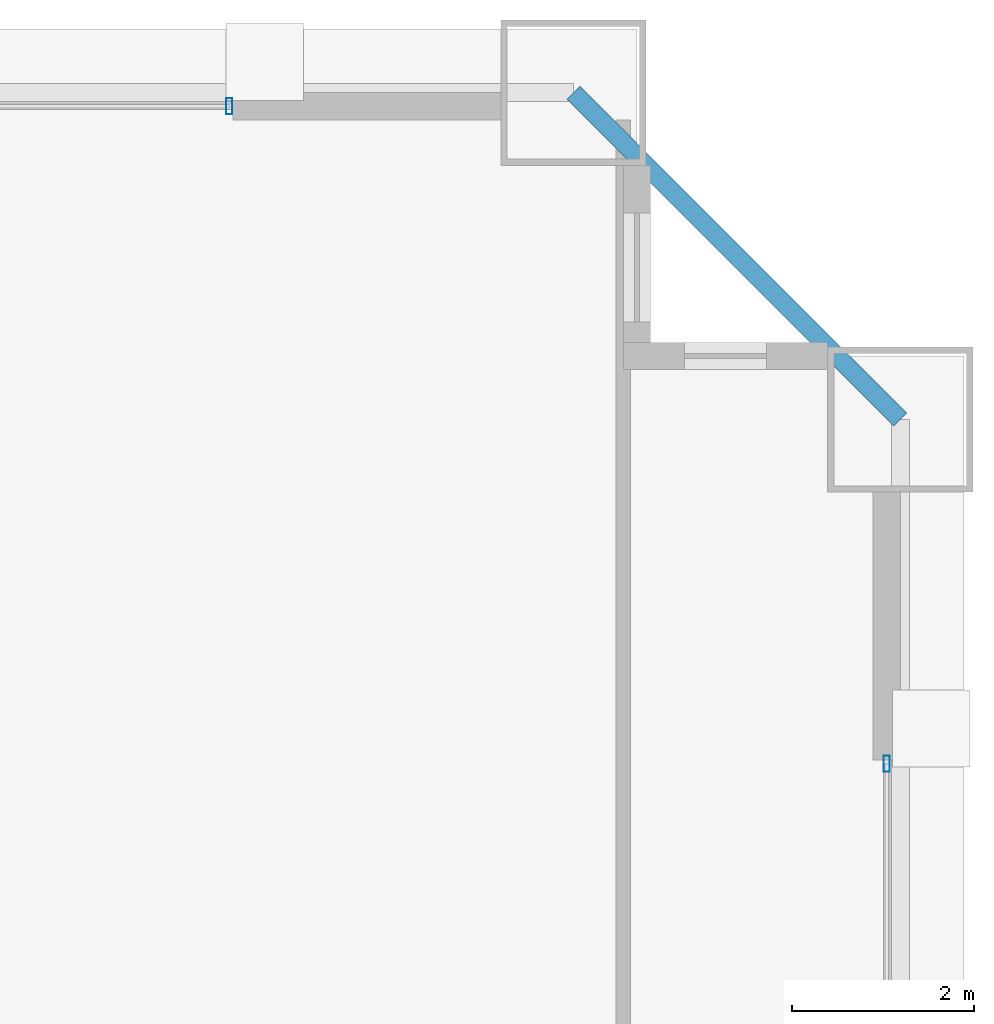
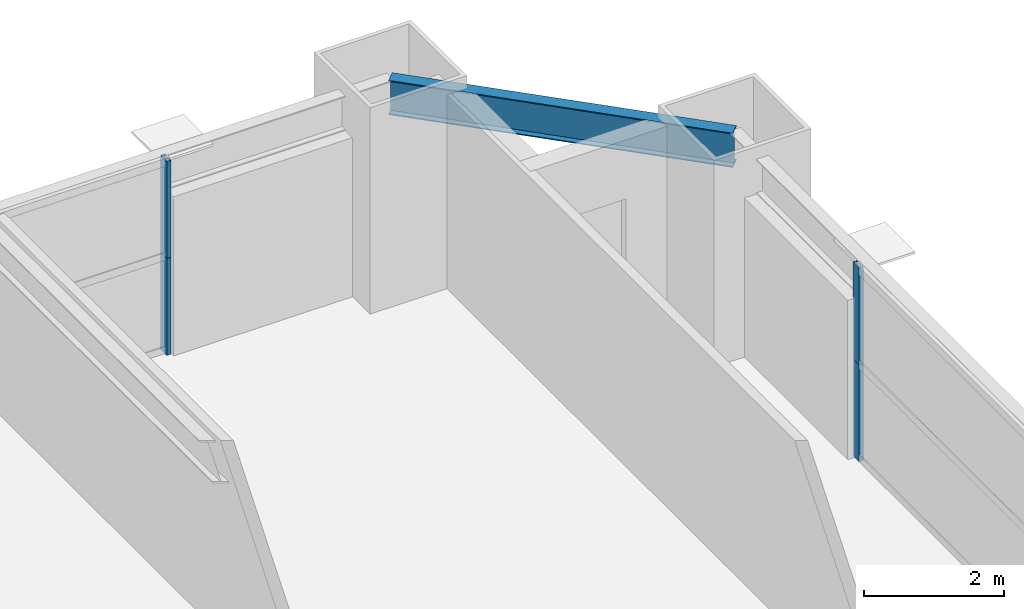
# One storey, part 33 of 39: 4 members, 1 beam, 2 elements without a shape of their own.
"""IFC4 building model written with IfcOpenShell, lengths in metres."""

from ifc_helpers import new_model, si_unit, direction, frame, origin, origin_2d, place, context, subcontext, project, spatial, hollow_rectangle, i_section, extrude, source, transform, mapped, material, layer, layer_set, material_profile, profile_set, type_object, element, aggregate, save


model = new_model("IFC4")

# Units and contexts
model_context = context("Model", 3, precision=1e-05, world=origin(), true_north=direction((0.0, 1.0)))
body_context = subcontext(model_context, "Body", "Model", "MODEL_VIEW")
ifc_project = project(units=[si_unit("LENGTHUNIT", "METRE"), si_unit("AREAUNIT", "SQUARE_METRE"), si_unit("VOLUMEUNIT", "CUBIC_METRE"), si_unit("PLANEANGLEUNIT", "RADIAN"), si_unit("MASSUNIT", "GRAM", prefix="KILO"), si_unit("THERMODYNAMICTEMPERATUREUNIT", "KELVIN"), si_unit("POWERUNIT", "WATT")], contexts=[model_context])

# Site, building, storey
site_placement = place(None, origin())
site = spatial("IfcSite", under=ifc_project, at=site_placement, CompositionType="ELEMENT")
building_placement = place(site_placement, origin())
building = spatial("IfcBuilding", under=site, at=building_placement, Name="Yuzanri Waterfront Tower", CompositionType="ELEMENT")
storey_placement = place(building_placement, frame((0.0, 0.0, 141.60009765625)))
storey = spatial("IfcBuildingStorey", under=building, at=storey_placement, Name="L37", CompositionType="ELEMENT", Elevation=141.60009765625)

# Beam
ifc_material_1 = material(Name="Steel Q355B", Category="steel")
ifc_material_profile_1 = material_profile(ifc_material_1, i_section(OverallWidth=0.199951171875, OverallDepth=0.60009765625, WebThickness=0.010986328125, FlangeThickness=0.01708984375, at=origin_2d()), Name="HN 600x200x11x17")
ifc_profile_set_1 = profile_set([ifc_material_profile_1], Name="Steel Q355B")
beam_type = type_object("IfcBeamType", Name="Perimeter Spandrel Q355B HN 600x200", PredefinedType="SPANDREL", material=ifc_profile_set_1)
shared_shape_1 = source(origin(), body_context, "Body", "SweptSolid", [
    extrude(i_section(OverallWidth=0.199951171875, OverallDepth=0.60009765625, WebThickness=0.010986328125, FlangeThickness=0.01708984375, at=origin_2d()), origin(), (0.0, 0.0, 1.0), 5.091064453125),
])
beam_placement = place(storey_placement, frame((60.60009765625, 45.800048828125, 3.079833984375), z_axis=(-0.707130757816, 0.707082803744, 0.0), x_axis=(-0.707082803744, -0.707130757816, 0.0)))
element("IfcBeam", 1, at=beam_placement, inside=storey, type_object=beam_type, Name="L37 Perimeter Spandrel E3-N3", PredefinedType="SPANDREL", context=body_context, shape_type="MappedRepresentation", body=[
    mapped(shared_shape_1, transform((0.0, 0.0, 0.0), scale=1.0)),
])

# Curtain wall, members
ifc_material_2 = material(Name="Anodized Architectural Bronze", Category="metal")
ifc_layer = layer(ifc_material_2, 0.159912109375)
ifc_layer_set = layer_set([ifc_layer], Name="Anodized Architectural Bronze")
curtain_wall_type = type_object("IfcCurtainWallType", Name="Anodized Bronze Hotel Upper-Tier Solar-Control Unitized Curtain Wall 7800", PredefinedType="NOTDEFINED", material=ifc_layer_set)
curtain_wall_1_placement = place(storey_placement, origin())
curtain_wall_1 = element("IfcCurtainWall", 2, at=curtain_wall_1_placement, inside=storey, type_object=curtain_wall_type, Name="L37 Curtain Wall CW-L37-NR", PredefinedType="NOTDEFINED")
ifc_material_3 = material(Name="Anodized Architectural Bronze", Category="metal")
ifc_material_profile_2 = material_profile(ifc_material_3, hollow_rectangle(XDim=0.070068359375, YDim=0.179931640625, WallThickness=0.00390625, at=origin_2d()), Name="CWM 70x180")
ifc_profile_set_2 = profile_set([ifc_material_profile_2], Name="Anodized Architectural Bronze")
member_type = type_object("IfcMemberType", Name="Anodized Bronze Standard Curtain-Wall Mullion 70x180", PredefinedType="MULLION", material=ifc_profile_set_2)
shared_shape_2 = source(origin(), body_context, "Body", "SweptSolid", [
    extrude(hollow_rectangle(XDim=0.070068359375, YDim=0.179931640625, WallThickness=0.00390625, at=origin_2d()), origin(), (0.0, 0.0, 1.0), 1.68798828125),
])
member_1_placement = place(storey_placement, frame((53.2099609375, 49.25, 0.0), z_axis=(0.0, 0.0, 1.0), x_axis=(1.0, 0.0, 0.0)))
member_1 = element("IfcMember", 3, at=member_1_placement, type_object=member_type, Name="CW-L37-NR Lower Mullion 02", PredefinedType="MULLION", context=body_context, shape_type="MappedRepresentation", body=[
    mapped(shared_shape_2, transform((0.0, 0.0, 0.0), scale=1.0)),
])
member_2_placement = place(storey_placement, frame((53.2099609375, 49.25, 1.69189453125), z_axis=(0.0, 0.0, 1.0), x_axis=(1.0, 0.0, 0.0)))
member_2 = element("IfcMember", 4, at=member_2_placement, type_object=member_type, Name="CW-L37-NR Upper Mullion 02", PredefinedType="MULLION", context=body_context, shape_type="MappedRepresentation", body=[
    mapped(shared_shape_2, transform((0.0, 0.0, 0.0), scale=1.0)),
])
aggregate(curtain_wall_1, [member_1, member_2])

curtain_wall_2_placement = place(storey_placement, origin())
curtain_wall_2 = element("IfcCurtainWall", 5, at=curtain_wall_2_placement, inside=storey, type_object=curtain_wall_type, Name="L37 Curtain Wall CW-L37-ER", PredefinedType="NOTDEFINED")
member_3_placement = place(storey_placement, frame((60.449951171875, 42.010009765625, 0.0), z_axis=(0.0, 0.0, 1.0), x_axis=(1.0, 0.0, 0.0)))
member_3 = element("IfcMember", 6, at=member_3_placement, type_object=member_type, Name="CW-L37-ER Lower Mullion 02", PredefinedType="MULLION", context=body_context, shape_type="MappedRepresentation", body=[
    mapped(shared_shape_2, transform((0.0, 0.0, 0.0), scale=1.0)),
])
member_4_placement = place(storey_placement, frame((60.449951171875, 42.010009765625, 1.69189453125), z_axis=(0.0, 0.0, 1.0), x_axis=(1.0, 0.0, 0.0)))
member_4 = element("IfcMember", 7, at=member_4_placement, type_object=member_type, Name="CW-L37-ER Upper Mullion 02", PredefinedType="MULLION", context=body_context, shape_type="MappedRepresentation", body=[
    mapped(shared_shape_2, transform((0.0, 0.0, 0.0), scale=1.0)),
])
aggregate(curtain_wall_2, [member_3, member_4])

save(model, "model.ifc")
